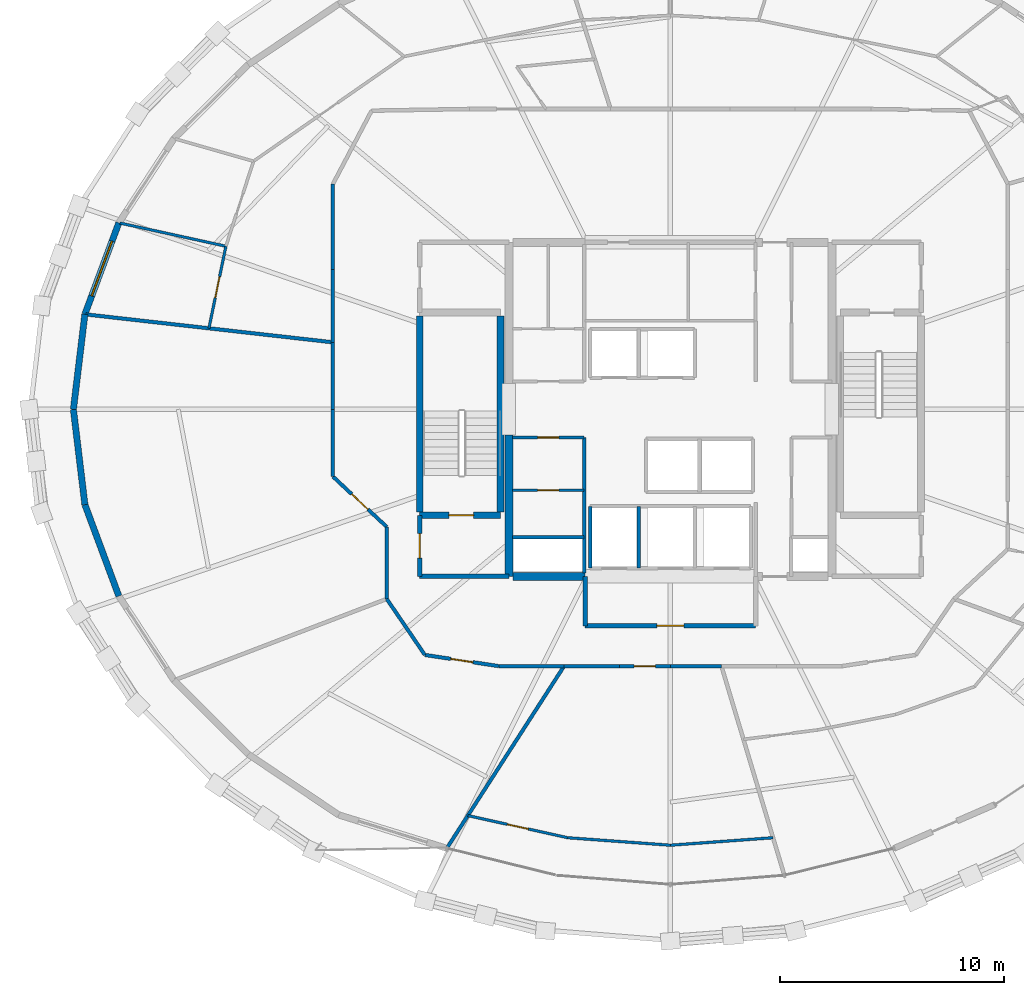
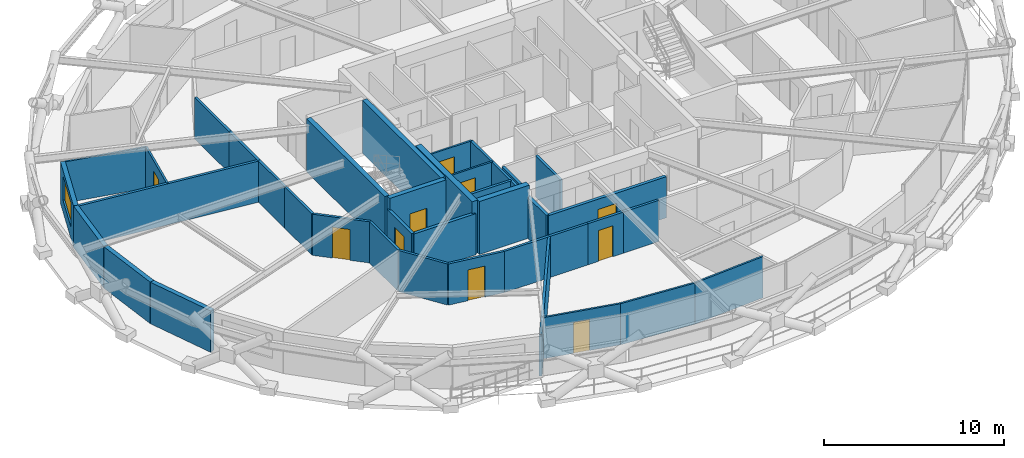
# One storey, part 14 of 21: 38 walls, 10 doors, 1 window, 11 openings.
"""IFC4 building model written with IfcOpenShell, lengths in metres."""

from ifc_helpers import new_model, si_unit, direction, frame, frame_2d, origin, place, context, subcontext, project, spatial, rectangle, extrude, material, layer, layer_set, type_object, element, fill, save


model = new_model("IFC4")

# Units and contexts
model_context = context("Model", 3, precision=1e-05, world=origin(), true_north=direction((0.0, 1.0)))
body_context = subcontext(model_context, "Body", "Model", "MODEL_VIEW")
ifc_project = project(units=[si_unit("LENGTHUNIT", "METRE"), si_unit("AREAUNIT", "SQUARE_METRE"), si_unit("VOLUMEUNIT", "CUBIC_METRE"), si_unit("PLANEANGLEUNIT", "RADIAN"), si_unit("MASSUNIT", "GRAM", prefix="KILO")], contexts=[model_context])

# Site, building, storey
site_placement = place(None, origin())
site = spatial("IfcSite", under=ifc_project, at=site_placement, CompositionType="ELEMENT")
building_placement = place(site_placement, origin())
building = spatial("IfcBuilding", under=site, at=building_placement, Name="Veldorina Hangang Commons", CompositionType="ELEMENT")
storey_placement = place(building_placement, frame((0.0, 0.0, 128.0)))
storey = spatial("IfcBuildingStorey", under=building, at=storey_placement, Name="L32", CompositionType="ELEMENT", Elevation=128.0)

# Walls
ifc_material_1 = material(Name="Concrete C60/75", Category="concrete")
ifc_layer_1 = layer(ifc_material_1, 0.360107421875)
ifc_layer_set_1 = layer_set([ifc_layer_1], Name="Concrete C60/75")
wall_type_1 = type_object("IfcWallType", Name="CW-RC360-C60", PredefinedType="SHEAR", material=ifc_layer_set_1)
wall_1_placement = place(storey_placement, frame((24.800048828125, 16.550048828125, 0.0), z_axis=(0.0, 0.0, 1.0), x_axis=(0.0, 1.0, 0.0)))
element("IfcWall", 1, at=wall_1_placement, inside=storey, type_object=wall_type_1, Name="L32 W south core shear wall", PredefinedType="SHEAR", context=body_context, shape_type="SweptSolid", body=[
    extrude(rectangle(XDim=6.300048828125, YDim=0.360107421875, at=frame_2d((3.14990234375, 0.0))), origin(), (0.0, 0.0, 1.0), 3.60009765625),
])
wall_2_placement = place(storey_placement, frame((24.97998046875, 16.550048828125, 0.0), z_axis=(0.0, 0.0, 1.0), x_axis=(1.0, 0.0, 0.0)))
element("IfcWall", 2, at=wall_2_placement, inside=storey, type_object=wall_type_1, Name="L32 south-west core shear wall", PredefinedType="SHEAR", context=body_context, shape_type="SweptSolid", body=[
    extrude(rectangle(XDim=3.219970703125, YDim=0.360107421875, at=frame_2d((1.60986328125, 0.0))), origin(), (0.0, 0.0, 1.0), 3.60009765625),
])

# Wall, opening, window
ifc_material_2 = material(Name="Stone Roman Travertine", Category="masonry")
ifc_layer_2 = layer(ifc_material_2, 0.280029296875)
ifc_layer_set_2 = layer_set([ifc_layer_2], Name="Stone Roman Travertine")
wall_type_2 = type_object("IfcWallType", Name="EW-TRAV-280", PredefinedType="STANDARD", material=ifc_layer_set_2)
wall_3_placement = place(storey_placement, frame((7.401123046875, 32.3232421875, 0.0), z_axis=(0.0, 0.0, 1.0), x_axis=(-0.348121742576, -0.937449333215, 0.0)))
wall_3 = element("IfcWall", 3, at=wall_3_placement, inside=storey, type_object=wall_type_2, Name="L32 travertine facade wall 14", PredefinedType="STANDARD", context=body_context, shape_type="SweptSolid", body=[
    extrude(rectangle(XDim=4.352294921875, YDim=0.280029296875, at=frame_2d((2.17626953125, 0.0))), origin(), (0.0, 0.0, 1.0), 2.820068359375),
])
opening_1_placement = place(wall_3_placement, frame((0.876220703125, 0.0, 0.800048828125)))
opening_1 = element("IfcOpeningElement", 4, at=opening_1_placement, cuts=wall_3, Name="Opening W-02", PredefinedType="OPENING", context=body_context, shape_type="SweptSolid", body=[
    extrude(rectangle(XDim=2.60009765625, YDim=1.64990234375, at=frame_2d((1.300048828125, 0.824951171875))), frame((0.0, 0.14990234375, 0.0), z_axis=(0.0, -1.0, 0.0), x_axis=(1.0, 0.0, 0.0)), (0.0, 0.0, 1.0), 0.300048828125),
])
ifc_material_3 = material(Name="Glass Low-E Triple IGU", Category="glass")
window_type = type_object("IfcWindowType", Name="WIN-TWR-2600", PartitioningType="SINGLE_PANEL", PredefinedType="WINDOW", material=ifc_material_3)
window_placement = place(opening_1_placement, origin())
window = element("IfcWindow", 5, at=window_placement, inside=storey, type_object=window_type, Name="L32 facade window 14", OverallHeight=1.64990234375, OverallWidth=2.60009765625, PartitioningType="SINGLE_PANEL", PredefinedType="WINDOW", context=body_context, shape_type="SweptSolid", body=[
    extrude(rectangle(XDim=2.60009765625, YDim=1.64990234375, at=frame_2d((1.300048828125, 0.824951171875))), frame((0.0, 0.030029296875, 0.0), z_axis=(0.0, -1.0, 0.0), x_axis=(1.0, 0.0, 0.0)), (0.0, 0.0, 1.0), 0.06005859375),
])
fill(opening_1, window)

# Walls
for number, where, z_axis, x_axis, name in (
    (6, (5.885986328125, 28.2431640625, 0.0), (0.0, 0.0, 1.0), (-0.119674545709, -0.992813176337, 0.0), "L32 travertine facade wall 15"),
    (7, (5.37451171875, 24.0, 0.0), (0.0, 0.0, 1.0), (0.119674545709, -0.992813176337, 0.0), "L32 travertine facade wall 16"),
):
    element("IfcWall", number, at=place(storey_placement, frame(where, z_axis=z_axis, x_axis=x_axis)), inside=storey, type_object=wall_type_2, Name=name, PredefinedType="STANDARD", context=body_context, shape_type="SweptSolid", body=[
        extrude(rectangle(XDim=4.27392578125, YDim=0.280029296875, at=frame_2d((2.136962890625, 0.0))), origin(), (0.0, 0.0, 1.0), 2.820068359375),
    ])
wall_4_placement = place(storey_placement, frame((5.885986328125, 19.7568359375, 0.0), z_axis=(0.0, 0.0, 1.0), x_axis=(0.348121742576, -0.937449333215, 0.0)))
element("IfcWall", 8, at=wall_4_placement, inside=storey, type_object=wall_type_2, Name="L32 travertine facade wall 17", PredefinedType="STANDARD", context=body_context, shape_type="SweptSolid", body=[
    extrude(rectangle(XDim=4.352294921875, YDim=0.280029296875, at=frame_2d((2.17626953125, 0.0))), origin(), (0.0, 0.0, 1.0), 2.820068359375),
])
ifc_material_4 = material(Name="Concrete C50/60", Category="concrete")
ifc_layer_3 = layer(ifc_material_4, 0.300048828125)
ifc_layer_set_3 = layer_set([ifc_layer_3], Name="Concrete C50/60")
wall_type_3 = type_object("IfcWallType", Name="SW-STAIR-300", PredefinedType="SHEAR", material=ifc_layer_set_3)
for number, where, z_axis, x_axis, name in (
    (9, (20.820068359375, 19.429931640625, 0.0), (0.0, 0.0, 1.0), (0.0, 1.0, 0.0), "L32 ST1 outer stair shear wall"),
    (10, (24.419921875, 19.429931640625, 0.0), (0.0, 0.0, 1.0), (0.0, 1.0, 0.0), "L32 ST1 inner stair shear wall"),
):
    element("IfcWall", number, at=place(storey_placement, frame(where, z_axis=z_axis, x_axis=x_axis)), inside=storey, type_object=wall_type_3, Name=name, PredefinedType="SHEAR", context=body_context, shape_type="SweptSolid", body=[
        extrude(rectangle(XDim=8.739990234375, YDim=0.300048828125, at=frame_2d((4.3701171875, 0.0))), origin(), (0.0, 0.0, 1.0), 3.60009765625),
    ])

# Wall, opening, door
wall_5_placement = place(storey_placement, frame((20.820068359375, 19.280029296875, 0.0), z_axis=(0.0, 0.0, 1.0), x_axis=(1.0, 0.0, 0.0)))
wall_5 = element("IfcWall", 11, at=wall_5_placement, inside=storey, type_object=wall_type_3, Name="L32 ST1 south stair shear wall", PredefinedType="SHEAR", context=body_context, shape_type="SweptSolid", body=[
    extrude(rectangle(XDim=3.599853515625, YDim=0.300048828125, at=frame_2d((1.7998046875, 0.0))), origin(), (0.0, 0.0, 1.0), 3.60009765625),
])
opening_2_placement = place(wall_5_placement, frame((1.300048828125, 0.0, 0.0)))
opening_2 = element("IfcOpeningElement", 12, at=opening_2_placement, cuts=wall_5, Name="Opening D-08", PredefinedType="OPENING", context=body_context, shape_type="SweptSolid", body=[
    extrude(rectangle(XDim=1.10009765625, YDim=2.10009765625, at=frame_2d((0.550048828125, 1.050048828125))), frame((0.0, 0.16015625, 0.0), z_axis=(0.0, -1.0, 0.0), x_axis=(1.0, 0.0, 0.0)), (0.0, 0.0, 1.0), 0.320068359375),
])
ifc_material_5 = material(Name="Steel Fire-Rated Smoke Seal", Category="steel")
door_type_1 = type_object("IfcDoorType", Name="DR-FIRE-1100", OperationType="SINGLE_SWING_RIGHT", PredefinedType="DOOR", material=ifc_material_5)
door_1_placement = place(opening_2_placement, origin())
door_1 = element("IfcDoor", 13, at=door_1_placement, inside=storey, type_object=door_type_1, Name="L32 Special Escape Stair ST-1 door", OperationType="SINGLE_SWING_LEFT", OverallHeight=2.10009765625, OverallWidth=1.10009765625, PredefinedType="DOOR", context=body_context, shape_type="SweptSolid", body=[
    extrude(rectangle(XDim=1.10009765625, YDim=2.10009765625, at=frame_2d((0.550048828125, 1.050048828125))), frame((0.0, 0.02490234375, 0.0), z_axis=(0.0, -1.0, 0.0), x_axis=(1.0, 0.0, 0.0)), (0.0, 0.0, 1.0), 0.050048828125),
])
fill(opening_2, door_1)

# Walls
ifc_material_6 = material(Name="Gypsum Fire-Rated Twin Stud Wall", Category="gypsum")
ifc_layer_4 = layer(ifc_material_6, 0.159912109375)
ifc_layer_set_4 = layer_set([ifc_layer_4], Name="Gypsum Fire-Rated Twin Stud Wall")
wall_type_4 = type_object("IfcWallType", Name="WL-FIRE-160", PredefinedType="SOLIDWALL", material=ifc_layer_set_4)
for number, where, z_axis, x_axis, name in (
    (14, (28.419921875, 16.919921875, 0.0), (0.0, 0.0, 1.0), (0.0, 1.0, 0.0), "L32 FFL-1 west shaft wall 027"),
    (15, (30.580078125, 16.919921875, 0.0), (0.0, 0.0, 1.0), (0.0, 1.0, 0.0), "L32 FFL-1 east shaft wall 028"),
):
    element("IfcWall", number, at=place(storey_placement, frame(where, z_axis=z_axis, x_axis=x_axis)), inside=storey, type_object=wall_type_4, Name=name, PredefinedType="SOLIDWALL", context=body_context, shape_type="SweptSolid", body=[
        extrude(rectangle(XDim=2.760009765625, YDim=0.159912109375, at=frame_2d((1.3798828125, 0.0))), origin(), (0.0, 0.0, 1.0), 2.800048828125),
    ])
wall_6_placement = place(storey_placement, frame((24.949951171875, 18.300048828125, 0.0), z_axis=(0.0, 0.0, 1.0), x_axis=(1.0, 0.0, 0.0)))
element("IfcWall", 16, at=wall_6_placement, inside=storey, type_object=wall_type_4, Name="L32 Electrical riser wall 035", PredefinedType="SOLIDWALL", context=body_context, shape_type="SweptSolid", body=[
    extrude(rectangle(XDim=3.199951171875, YDim=0.159912109375, at=frame_2d((1.60009765625, 0.0))), origin(), (0.0, 0.0, 1.0), 2.800048828125),
])
wall_7_placement = place(storey_placement, frame((28.14990234375, 16.699951171875, 0.0), z_axis=(0.0, 0.0, 1.0), x_axis=(0.0, 1.0, 0.0)))
element("IfcWall", 17, at=wall_7_placement, inside=storey, type_object=wall_type_4, Name="L32 SW core inner wall 036", PredefinedType="SOLIDWALL", context=body_context, shape_type="SweptSolid", body=[
    extrude(rectangle(XDim=6.050048828125, YDim=0.159912109375, at=frame_2d((3.02490234375, 0.0))), origin(), (0.0, 0.0, 1.0), 2.800048828125),
])
wall_8_placement = place(storey_placement, frame((16.949951171875, 34.05615234375, 0.0), z_axis=(0.0, 0.0, 1.0), x_axis=(0.0, -1.0, 0.0)))
element("IfcWall", 18, at=wall_8_placement, inside=storey, type_object=wall_type_4, Name="L32 U-corridor outer wall 13 061", PredefinedType="SOLIDWALL", context=body_context, shape_type="SweptSolid", body=[
    extrude(rectangle(XDim=3.822265625, YDim=0.159912109375, at=frame_2d((1.9111328125, 0.0))), origin(), (0.0, 0.0, 1.0), 2.800048828125),
])
wall_9_placement = place(storey_placement, frame((16.949951171875, 30.23388671875, 0.0), z_axis=(0.0, 0.0, 1.0), x_axis=(0.0, -1.0, 0.0)))
element("IfcWall", 19, at=wall_9_placement, inside=storey, type_object=wall_type_4, Name="L32 U-corridor outer wall 14 062", PredefinedType="SOLIDWALL", context=body_context, shape_type="SweptSolid", body=[
    extrude(rectangle(XDim=3.240234375, YDim=0.159912109375, at=frame_2d((1.6201171875, 0.0))), origin(), (0.0, 0.0, 1.0), 2.800048828125),
])
for number, where, z_axis, x_axis, name in (
    (20, (16.949951171875, 26.99365234375, 0.0), (0.0, 0.0, 1.0), (0.0, -1.0, 0.0), "L32 U-corridor outer wall 15 063"),
    (21, (16.949951171875, 24.0, 0.0), (0.0, 0.0, 1.0), (0.0, -1.0, 0.0), "L32 U-corridor outer wall 16 064"),
):
    element("IfcWall", number, at=place(storey_placement, frame(where, z_axis=z_axis, x_axis=x_axis)), inside=storey, type_object=wall_type_4, Name=name, PredefinedType="SOLIDWALL", context=body_context, shape_type="SweptSolid", body=[
        extrude(rectangle(XDim=2.99365234375, YDim=0.159912109375, at=frame_2d((1.496826171875, 0.0))), origin(), (0.0, 0.0, 1.0), 2.800048828125),
    ])

# Wall, opening, door
wall_10_placement = place(storey_placement, frame((16.949951171875, 21.00634765625, 0.0), z_axis=(0.0, 0.0, 1.0), x_axis=(0.730150682073, -0.683286163674, 0.0)))
wall_10 = element("IfcWall", 22, at=wall_10_placement, inside=storey, type_object=wall_type_4, Name="L32 U-corridor outer wall 17 065", PredefinedType="SOLIDWALL", context=body_context, shape_type="SweptSolid", body=[
    extrude(rectangle(XDim=3.287109375, YDim=0.159912109375, at=frame_2d((1.6435546875, 0.0))), origin(), (0.0, 0.0, 1.0), 2.800048828125),
])
opening_3_placement = place(wall_10_placement, frame((1.1435546875, 0.0, 0.0)))
opening_3 = element("IfcOpeningElement", 23, at=opening_3_placement, cuts=wall_10, Name="Opening D-05", PredefinedType="OPENING", context=body_context, shape_type="SweptSolid", body=[
    extrude(rectangle(XDim=1.0, YDim=2.10009765625, at=frame_2d((0.5, 1.050048828125))), frame((0.0, 0.08984375, 0.0), z_axis=(0.0, -1.0, 0.0), x_axis=(1.0, 0.0, 0.0)), (0.0, 0.0, 1.0), 0.179931640625),
])
ifc_material_7 = material(Name="Timber Solid Core Acoustic", Category="wood")
door_type_2 = type_object("IfcDoorType", Name="DR-INT-1000", OperationType="SINGLE_SWING_RIGHT", PredefinedType="DOOR", material=ifc_material_7)
door_2_placement = place(opening_3_placement, origin())
door_2 = element("IfcDoor", 24, at=door_2_placement, inside=storey, type_object=door_type_2, Name="L32 Floor Study Room 5 door 042", OperationType="SINGLE_SWING_RIGHT", OverallHeight=2.10009765625, OverallWidth=1.0, PredefinedType="DOOR", context=body_context, shape_type="SweptSolid", body=[
    extrude(rectangle(XDim=1.0, YDim=2.10009765625, at=frame_2d((0.5, 1.050048828125))), frame((0.0, 0.02490234375, 0.0), z_axis=(0.0, -1.0, 0.0), x_axis=(1.0, 0.0, 0.0)), (0.0, 0.0, 1.0), 0.050048828125),
])
fill(opening_3, door_2)

# Walls
wall_11_placement = place(storey_placement, frame((19.35009765625, 18.76025390625, 0.0), z_axis=(0.0, 0.0, 1.0), x_axis=(0.0, -1.0, 0.0)))
element("IfcWall", 25, at=wall_11_placement, inside=storey, type_object=wall_type_4, Name="L32 U-corridor outer wall 18 066", PredefinedType="SOLIDWALL", context=body_context, shape_type="SweptSolid", body=[
    extrude(rectangle(XDim=3.212646484375, YDim=0.159912109375, at=frame_2d((1.6064453125, 0.0))), origin(), (0.0, 0.0, 1.0), 2.800048828125),
])
wall_12_placement = place(storey_placement, frame((19.35009765625, 15.547607421875, 0.0), z_axis=(0.0, 0.0, 1.0), x_axis=(0.562674669208, -0.826678423955, 0.0)))
element("IfcWall", 26, at=wall_12_placement, inside=storey, type_object=wall_type_4, Name="L32 U-corridor outer wall 19 067", PredefinedType="SOLIDWALL", context=body_context, shape_type="SweptSolid", body=[
    extrude(rectangle(XDim=3.021240234375, YDim=0.159912109375, at=frame_2d((1.5107421875, 0.0))), origin(), (0.0, 0.0, 1.0), 2.800048828125),
])

# Wall, opening, door
wall_13_placement = place(storey_placement, frame((21.050048828125, 13.050048828125, 0.0), z_axis=(0.0, 0.0, 1.0), x_axis=(0.988710906508, -0.149835721217, 0.0)))
wall_13 = element("IfcWall", 27, at=wall_13_placement, inside=storey, type_object=wall_type_4, Name="L32 U-corridor outer wall 20 068", PredefinedType="SOLIDWALL", context=body_context, shape_type="SweptSolid", body=[
    extrude(rectangle(XDim=3.3369140625, YDim=0.159912109375, at=frame_2d((1.66845703125, 0.0))), origin(), (0.0, 0.0, 1.0), 2.800048828125),
])
opening_4_placement = place(wall_13_placement, frame((1.16845703125, 0.0, 0.0)))
opening_4 = element("IfcOpeningElement", 28, at=opening_4_placement, cuts=wall_13, Name="Opening D-05", PredefinedType="OPENING", context=body_context, shape_type="SweptSolid", body=[
    extrude(rectangle(XDim=1.0, YDim=2.10009765625, at=frame_2d((0.5, 1.050048828125))), frame((0.0, 0.08984375, 0.0), z_axis=(0.0, -1.0, 0.0), x_axis=(1.0, 0.0, 0.0)), (0.0, 0.0, 1.0), 0.179931640625),
])
door_3_placement = place(opening_4_placement, origin())
door_3 = element("IfcDoor", 29, at=door_3_placement, inside=storey, type_object=door_type_2, Name="L32 Seminar Focus Room 6 door 043", OperationType="SINGLE_SWING_LEFT", OverallHeight=2.10009765625, OverallWidth=1.0, PredefinedType="DOOR", context=body_context, shape_type="SweptSolid", body=[
    extrude(rectangle(XDim=1.0, YDim=2.10009765625, at=frame_2d((0.5, 1.050048828125))), frame((0.0, 0.02490234375, 0.0), z_axis=(0.0, -1.0, 0.0), x_axis=(1.0, 0.0, 0.0)), (0.0, 0.0, 1.0), 0.050048828125),
])
fill(opening_4, door_3)

# Walls
wall_14_placement = place(storey_placement, frame((24.349365234375, 12.550048828125, 0.0), z_axis=(0.0, 0.0, 1.0), x_axis=(1.0, 0.0, 0.0)))
element("IfcWall", 30, at=wall_14_placement, inside=storey, type_object=wall_type_4, Name="L32 U-corridor outer wall 21 069", PredefinedType="SOLIDWALL", context=body_context, shape_type="SweptSolid", body=[
    extrude(rectangle(XDim=2.907958984375, YDim=0.159912109375, at=frame_2d((1.4541015625, 0.0))), origin(), (0.0, 0.0, 1.0), 2.800048828125),
])
wall_15_placement = place(storey_placement, frame((27.25732421875, 12.550048828125, 0.0), z_axis=(0.0, 0.0, 1.0), x_axis=(1.0, 0.0, 0.0)))
element("IfcWall", 31, at=wall_15_placement, inside=storey, type_object=wall_type_4, Name="L32 U-corridor outer wall 22 070", PredefinedType="SOLIDWALL", context=body_context, shape_type="SweptSolid", body=[
    extrude(rectangle(XDim=2.465087890625, YDim=0.159912109375, at=frame_2d((1.232421875, 0.0))), origin(), (0.0, 0.0, 1.0), 2.800048828125),
])

# Wall, opening, door
wall_16_placement = place(storey_placement, frame((29.722412109375, 12.550048828125, 0.0), z_axis=(0.0, 0.0, 1.0), x_axis=(1.0, 0.0, 0.0)))
wall_16 = element("IfcWall", 32, at=wall_16_placement, inside=storey, type_object=wall_type_4, Name="L32 U-corridor outer wall 23 071", PredefinedType="SOLIDWALL", context=body_context, shape_type="SweptSolid", body=[
    extrude(rectangle(XDim=2.277587890625, YDim=0.159912109375, at=frame_2d((1.138671875, 0.0))), origin(), (0.0, 0.0, 1.0), 2.800048828125),
])
opening_5_placement = place(wall_16_placement, frame((0.663818359375, 0.0, 0.0)))
opening_5 = element("IfcOpeningElement", 33, at=opening_5_placement, cuts=wall_16, Name="Opening D-02", PredefinedType="OPENING", context=body_context, shape_type="SweptSolid", body=[
    extrude(rectangle(XDim=0.949951171875, YDim=2.10009765625, at=frame_2d((0.47509765625, 1.050048828125))), frame((0.0, 0.08984375, 0.0), z_axis=(0.0, -1.0, 0.0), x_axis=(1.0, 0.0, 0.0)), (0.0, 0.0, 1.0), 0.179931640625),
])
door_type_3 = type_object("IfcDoorType", Name="DR-INT-950", OperationType="SINGLE_SWING_LEFT", PredefinedType="DOOR", material=ifc_material_7)
door_4_placement = place(opening_5_placement, origin())
door_4 = element("IfcDoor", 34, at=door_4_placement, inside=storey, type_object=door_type_3, Name="L32 Linen drying store door 044", OperationType="SINGLE_SWING_RIGHT", OverallHeight=2.10009765625, OverallWidth=0.949951171875, PredefinedType="DOOR", context=body_context, shape_type="SweptSolid", body=[
    extrude(rectangle(XDim=0.949951171875, YDim=2.10009765625, at=frame_2d((0.47509765625, 1.050048828125))), frame((0.0, 0.02490234375, 0.0), z_axis=(0.0, -1.0, 0.0), x_axis=(1.0, 0.0, 0.0)), (0.0, 0.0, 1.0), 0.050048828125),
])
fill(opening_5, door_4)

# Walls
wall_17_placement = place(storey_placement, frame((32.0, 12.550048828125, 0.0), z_axis=(0.0, 0.0, 1.0), x_axis=(1.0, 0.0, 0.0)))
element("IfcWall", 35, at=wall_17_placement, inside=storey, type_object=wall_type_4, Name="L32 U-corridor outer wall 24 072", PredefinedType="SOLIDWALL", context=body_context, shape_type="SweptSolid", body=[
    extrude(rectangle(XDim=2.277587890625, YDim=0.159912109375, at=frame_2d((1.138671875, 0.0))), origin(), (0.0, 0.0, 1.0), 2.800048828125),
])
wall_18_placement = place(storey_placement, frame((16.949951171875, 26.99365234375, 0.0), z_axis=(0.0, 0.0, 1.0), x_axis=(-0.993683080056, 0.112222708979, 0.0)))
element("IfcWall", 36, at=wall_18_placement, inside=storey, type_object=wall_type_4, Name="L32 Unit party wall 15 119", PredefinedType="SOLIDWALL", context=body_context, shape_type="SweptSolid", body=[
    extrude(rectangle(XDim=11.084228515625, YDim=0.159912109375, at=frame_2d((5.5419921875, 0.0))), origin(), (0.0, 0.0, 1.0), 2.800048828125),
])
wall_19_placement = place(storey_placement, frame((27.25732421875, 12.550048828125, 0.0), z_axis=(0.0, 0.0, 1.0), x_axis=(-0.541316970546, -0.840818611473, 0.0)))
element("IfcWall", 37, at=wall_19_placement, inside=storey, type_object=wall_type_4, Name="L32 Unit party wall 22 121", PredefinedType="SOLIDWALL", context=body_context, shape_type="SweptSolid", body=[
    extrude(rectangle(XDim=9.615478515625, YDim=0.159912109375, at=frame_2d((4.8076171875, 0.0))), origin(), (0.0, 0.0, 1.0), 2.800048828125),
])

# Wall, opening, door
ifc_material_8 = material(Name="Concrete Blockwork Fire Wall C30/37", Category="masonry")
ifc_layer_5 = layer(ifc_material_8, 0.199951171875)
ifc_layer_set_5 = layer_set([ifc_layer_5], Name="Concrete Blockwork Fire Wall C30/37")
wall_type_5 = type_object("IfcWallType", Name="WL-FIRE-200", PredefinedType="SOLIDWALL", material=ifc_layer_set_5)
wall_20_placement = place(storey_placement, frame((20.820068359375, 16.550048828125, 0.0), z_axis=(0.0, 0.0, 1.0), x_axis=(0.0, 1.0, 0.0)))
wall_20 = element("IfcWall", 38, at=wall_20_placement, inside=storey, type_object=wall_type_5, Name="L32 West vestibule outer wall 001", PredefinedType="SOLIDWALL", context=body_context, shape_type="SweptSolid", body=[
    extrude(rectangle(XDim=2.72998046875, YDim=0.199951171875, at=frame_2d((1.364990234375, 0.0))), origin(), (0.0, 0.0, 1.0), 2.800048828125),
])
opening_6_placement = place(wall_20_placement, frame((0.81494140625, 0.0, 0.0)))
opening_6 = element("IfcOpeningElement", 39, at=opening_6_placement, cuts=wall_20, Name="Opening D-08", PredefinedType="OPENING", context=body_context, shape_type="SweptSolid", body=[
    extrude(rectangle(XDim=1.10009765625, YDim=2.10009765625, at=frame_2d((0.550048828125, 1.050048828125))), frame((0.0, 0.10986328125, 0.0), z_axis=(0.0, -1.0, 0.0), x_axis=(1.0, 0.0, 0.0)), (0.0, 0.0, 1.0), 0.219970703125),
])
door_5_placement = place(opening_6_placement, origin())
door_5 = element("IfcDoor", 40, at=door_5_placement, inside=storey, type_object=door_type_1, Name="L32 West vestibule west door 001", OperationType="SINGLE_SWING_LEFT", OverallHeight=2.10009765625, OverallWidth=1.10009765625, PredefinedType="DOOR", context=body_context, shape_type="SweptSolid", body=[
    extrude(rectangle(XDim=1.10009765625, YDim=2.10009765625, at=frame_2d((0.550048828125, 1.050048828125))), frame((0.0, 0.02490234375, 0.0), z_axis=(0.0, -1.0, 0.0), x_axis=(1.0, 0.0, 0.0)), (0.0, 0.0, 1.0), 0.050048828125),
])
fill(opening_6, door_5)

# Walls
wall_21_placement = place(storey_placement, frame((20.820068359375, 16.550048828125, 0.0), z_axis=(0.0, 0.0, 1.0), x_axis=(1.0, 0.0, 0.0)))
element("IfcWall", 41, at=wall_21_placement, inside=storey, type_object=wall_type_5, Name="L32 West vestibule south wall 002", PredefinedType="SOLIDWALL", context=body_context, shape_type="SweptSolid", body=[
    extrude(rectangle(XDim=3.97998046875, YDim=0.199951171875, at=frame_2d((1.989990234375, 0.0))), origin(), (0.0, 0.0, 1.0), 2.800048828125),
])
wall_22_placement = place(storey_placement, frame((28.199951171875, 14.35009765625, 0.0), z_axis=(0.0, 0.0, 1.0), x_axis=(0.0, 1.0, 0.0)))
element("IfcWall", 42, at=wall_22_placement, inside=storey, type_object=wall_type_5, Name="L32 FF lobby west wall 012", PredefinedType="SOLIDWALL", context=body_context, shape_type="SweptSolid", body=[
    extrude(rectangle(XDim=2.199951171875, YDim=0.199951171875, at=frame_2d((1.10009765625, 0.0))), origin(), (0.0, 0.0, 1.0), 2.800048828125),
])

# Wall, opening, door
wall_23_placement = place(storey_placement, frame((28.199951171875, 14.35009765625, 0.0), z_axis=(0.0, 0.0, 1.0), x_axis=(1.0, 0.0, 0.0)))
wall_23 = element("IfcWall", 43, at=wall_23_placement, inside=storey, type_object=wall_type_5, Name="L32 FF lobby south wall 014", PredefinedType="SOLIDWALL", context=body_context, shape_type="SweptSolid", body=[
    extrude(rectangle(XDim=7.60009765625, YDim=0.199951171875, at=frame_2d((3.800048828125, 0.0))), origin(), (0.0, 0.0, 1.0), 2.800048828125),
])
opening_7_placement = place(wall_23_placement, frame((3.199951171875, 0.0, 0.0)))
opening_7 = element("IfcOpeningElement", 44, at=opening_7_placement, cuts=wall_23, Name="Opening D-09", PredefinedType="OPENING", context=body_context, shape_type="SweptSolid", body=[
    extrude(rectangle(XDim=1.199951171875, YDim=2.10009765625, at=frame_2d((0.60009765625, 1.050048828125))), frame((0.0, 0.10986328125, 0.0), z_axis=(0.0, -1.0, 0.0), x_axis=(1.0, 0.0, 0.0)), (0.0, 0.0, 1.0), 0.219970703125),
])
ifc_material_9 = material(Name="Steel Fire-Rated Corridor Door", Category="steel")
door_type_4 = type_object("IfcDoorType", Name="DR-FIRE-1200", OperationType="SINGLE_SWING_LEFT", PredefinedType="DOOR", material=ifc_material_9)
door_6_placement = place(opening_7_placement, origin())
door_6 = element("IfcDoor", 45, at=door_6_placement, inside=storey, type_object=door_type_4, Name="L32 FF lobby south corridor door 005", OperationType="SINGLE_SWING_LEFT", OverallHeight=2.10009765625, OverallWidth=1.199951171875, PredefinedType="DOOR", context=body_context, shape_type="SweptSolid", body=[
    extrude(rectangle(XDim=1.199951171875, YDim=2.10009765625, at=frame_2d((0.60009765625, 1.050048828125))), frame((0.0, 0.02490234375, 0.0), z_axis=(0.0, -1.0, 0.0), x_axis=(1.0, 0.0, 0.0)), (0.0, 0.0, 1.0), 0.050048828125),
])
fill(opening_7, door_6)

ifc_material_10 = material(Name="Gypsum Acoustic Stud Partition", Category="gypsum")
ifc_layer_6 = layer(ifc_material_10, 0.1201171875)
ifc_layer_set_6 = layer_set([ifc_layer_6], Name="Gypsum Acoustic Stud Partition")
wall_type_6 = type_object("IfcWallType", Name="WL-PART-120", PredefinedType="PARTITIONING", material=ifc_layer_set_6)
wall_24_placement = place(storey_placement, frame((24.949951171875, 22.75, 0.0), z_axis=(0.0, 0.0, 1.0), x_axis=(1.0, 0.0, 0.0)))
wall_24 = element("IfcWall", 46, at=wall_24_placement, inside=storey, type_object=wall_type_6, Name="L32 SW service north wall 040", PredefinedType="PARTITIONING", context=body_context, shape_type="SweptSolid", body=[
    extrude(rectangle(XDim=3.199951171875, YDim=0.1201171875, at=frame_2d((1.60009765625, 0.0))), origin(), (0.0, 0.0, 1.0), 2.800048828125),
])
opening_8_placement = place(wall_24_placement, frame((1.125, 0.0, 0.0)))
opening_8 = element("IfcOpeningElement", 47, at=opening_8_placement, cuts=wall_24, Name="Opening D-02", PredefinedType="OPENING", context=body_context, shape_type="SweptSolid", body=[
    extrude(rectangle(XDim=0.949951171875, YDim=2.10009765625, at=frame_2d((0.47509765625, 1.050048828125))), frame((0.0, 0.070068359375, 0.0), z_axis=(0.0, -1.0, 0.0), x_axis=(1.0, 0.0, 0.0)), (0.0, 0.0, 1.0), 0.14013671875),
])
door_7_placement = place(opening_8_placement, origin())
door_7 = element("IfcDoor", 48, at=door_7_placement, inside=storey, type_object=door_type_3, Name="L32 Recycling room door 016", OperationType="SINGLE_SWING_RIGHT", OverallHeight=2.10009765625, OverallWidth=0.949951171875, PredefinedType="DOOR", context=body_context, shape_type="SweptSolid", body=[
    extrude(rectangle(XDim=0.949951171875, YDim=2.10009765625, at=frame_2d((0.47509765625, 1.050048828125))), frame((0.0, 0.02490234375, 0.0), z_axis=(0.0, -1.0, 0.0), x_axis=(1.0, 0.0, 0.0)), (0.0, 0.0, 1.0), 0.050048828125),
])
fill(opening_8, door_7)

wall_25_placement = place(storey_placement, frame((24.949951171875, 20.39990234375, 0.0), z_axis=(0.0, 0.0, 1.0), x_axis=(1.0, 0.0, 0.0)))
wall_25 = element("IfcWall", 49, at=wall_25_placement, inside=storey, type_object=wall_type_6, Name="L32 SW horizontal split 047", PredefinedType="PARTITIONING", context=body_context, shape_type="SweptSolid", body=[
    extrude(rectangle(XDim=3.199951171875, YDim=0.1201171875, at=frame_2d((1.60009765625, 0.0))), origin(), (0.0, 0.0, 1.0), 2.800048828125),
])
opening_9_placement = place(wall_25_placement, frame((1.125, 0.0, 0.0)))
opening_9 = element("IfcOpeningElement", 50, at=opening_9_placement, cuts=wall_25, Name="Opening D-02", PredefinedType="OPENING", context=body_context, shape_type="SweptSolid", body=[
    extrude(rectangle(XDim=0.949951171875, YDim=2.10009765625, at=frame_2d((0.47509765625, 1.050048828125))), frame((0.0, 0.070068359375, 0.0), z_axis=(0.0, -1.0, 0.0), x_axis=(1.0, 0.0, 0.0)), (0.0, 0.0, 1.0), 0.14013671875),
])
door_8_placement = place(opening_9_placement, origin())
door_8 = element("IfcDoor", 51, at=door_8_placement, inside=storey, type_object=door_type_3, Name="L32 Archive closet door 017", OperationType="SINGLE_SWING_LEFT", OverallHeight=2.10009765625, OverallWidth=0.949951171875, PredefinedType="DOOR", context=body_context, shape_type="SweptSolid", body=[
    extrude(rectangle(XDim=0.949951171875, YDim=2.10009765625, at=frame_2d((0.47509765625, 1.050048828125))), frame((0.0, 0.02490234375, 0.0), z_axis=(0.0, -1.0, 0.0), x_axis=(1.0, 0.0, 0.0)), (0.0, 0.0, 1.0), 0.050048828125),
])
fill(opening_9, door_8)

wall_26_placement = place(storey_placement, frame((12.175537109375, 31.278564453125, 0.0), z_axis=(0.0, 0.0, 1.0), x_axis=(-0.202681199314, -0.979244776062, 0.0)))
wall_26 = element("IfcWall", 52, at=wall_26_placement, inside=storey, type_object=wall_type_6, Name="L32 Cluster 4 bed 4 front wall 117", PredefinedType="PARTITIONING", context=body_context, shape_type="SweptSolid", body=[
    extrude(rectangle(XDim=3.73779296875, YDim=0.1201171875, at=frame_2d((1.868896484375, 0.0))), origin(), (0.0, 0.0, 1.0), 2.800048828125),
])
opening_10_placement = place(wall_26_placement, frame((1.393798828125, 0.0, 0.0)))
opening_10 = element("IfcOpeningElement", 53, at=opening_10_placement, cuts=wall_26, Name="Opening D-02", PredefinedType="OPENING", context=body_context, shape_type="SweptSolid", body=[
    extrude(rectangle(XDim=0.949951171875, YDim=2.10009765625, at=frame_2d((0.47509765625, 1.050048828125))), frame((0.0, 0.070068359375, 0.0), z_axis=(0.0, -1.0, 0.0), x_axis=(1.0, 0.0, 0.0)), (0.0, 0.0, 1.0), 0.14013671875),
])
door_9_placement = place(opening_10_placement, origin())
door_9 = element("IfcDoor", 54, at=door_9_placement, inside=storey, type_object=door_type_3, Name="L32 Cluster 4 bed 4 door 041", OperationType="SINGLE_SWING_LEFT", OverallHeight=2.10009765625, OverallWidth=0.949951171875, PredefinedType="DOOR", context=body_context, shape_type="SweptSolid", body=[
    extrude(rectangle(XDim=0.949951171875, YDim=2.10009765625, at=frame_2d((0.47509765625, 1.050048828125))), frame((0.0, 0.02490234375, 0.0), z_axis=(0.0, -1.0, 0.0), x_axis=(1.0, 0.0, 0.0)), (0.0, 0.0, 1.0), 0.050048828125),
])
fill(opening_10, door_9)

# Wall
wall_27_placement = place(storey_placement, frame((12.175537109375, 31.278564453125, 0.0), z_axis=(0.0, 0.0, 1.0), x_axis=(-0.976890797425, 0.213739022892, 0.0)))
element("IfcWall", 55, at=wall_27_placement, inside=storey, type_object=wall_type_6, Name="L32 Cluster 4 bed divider 3 118", PredefinedType="PARTITIONING", context=body_context, shape_type="SweptSolid", body=[
    extrude(rectangle(XDim=4.83740234375, YDim=0.1201171875, at=frame_2d((2.418701171875, 0.0))), origin(), (0.0, 0.0, 1.0), 2.800048828125),
])

# Wall, opening, door
wall_28_placement = place(storey_placement, frame((22.967041015625, 5.885986328125, 0.0), z_axis=(0.0, 0.0, 1.0), x_axis=(0.976227339475, -0.216749121478, 0.0)))
wall_28 = element("IfcWall", 56, at=wall_28_placement, inside=storey, type_object=wall_type_6, Name="L32 Laundry split 0 122", PredefinedType="PARTITIONING", context=body_context, shape_type="SweptSolid", body=[
    extrude(rectangle(XDim=4.561767578125, YDim=0.1201171875, at=frame_2d((2.28076171875, 0.0))), origin(), (0.0, 0.0, 1.0), 2.800048828125),
])
opening_11_placement = place(wall_28_placement, frame((1.805908203125, 0.0, 0.0)))
opening_11 = element("IfcOpeningElement", 57, at=opening_11_placement, cuts=wall_28, Name="Opening D-02", PredefinedType="OPENING", context=body_context, shape_type="SweptSolid", body=[
    extrude(rectangle(XDim=0.949951171875, YDim=2.10009765625, at=frame_2d((0.47509765625, 1.050048828125))), frame((0.0, 0.070068359375, 0.0), z_axis=(0.0, -1.0, 0.0), x_axis=(1.0, 0.0, 0.0)), (0.0, 0.0, 1.0), 0.14013671875),
])
door_10_placement = place(opening_11_placement, origin())
door_10 = element("IfcDoor", 58, at=door_10_placement, inside=storey, type_object=door_type_3, Name="L32 Resident laundry inner door 045", OperationType="SINGLE_SWING_LEFT", OverallHeight=2.10009765625, OverallWidth=0.949951171875, PredefinedType="DOOR", context=body_context, shape_type="SweptSolid", body=[
    extrude(rectangle(XDim=0.949951171875, YDim=2.10009765625, at=frame_2d((0.47509765625, 1.050048828125))), frame((0.0, 0.02490234375, 0.0), z_axis=(0.0, -1.0, 0.0), x_axis=(1.0, 0.0, 0.0)), (0.0, 0.0, 1.0), 0.050048828125),
])
fill(opening_11, door_10)

# Walls
for number, where, z_axis, x_axis, name in (
    (59, (27.42041015625, 4.897216796875, 0.0), (0.0, 0.0, 1.0), (0.997351250067, -0.072735713301, 0.0), "L32 Laundry split 1 123"),
    (60, (32.0, 4.563232421875, 0.0), (0.0, 0.0, 1.0), (0.997351250067, 0.072735713301, 0.0), "L32 Laundry split 2 124"),
):
    element("IfcWall", number, at=place(storey_placement, frame(where, z_axis=z_axis, x_axis=x_axis)), inside=storey, type_object=wall_type_6, Name=name, PredefinedType="PARTITIONING", context=body_context, shape_type="SweptSolid", body=[
        extrude(rectangle(XDim=4.591796875, YDim=0.1201171875, at=frame_2d((2.2958984375, 0.0))), origin(), (0.0, 0.0, 1.0), 2.800048828125),
    ])

save(model, "model.ifc")
